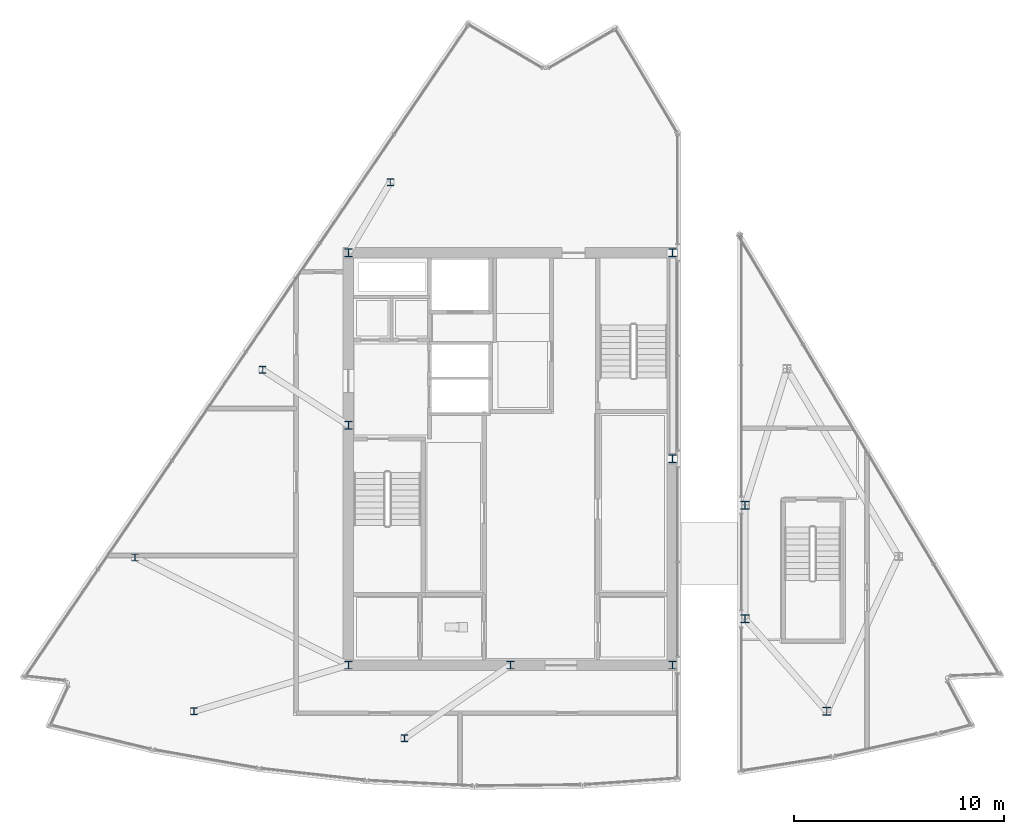
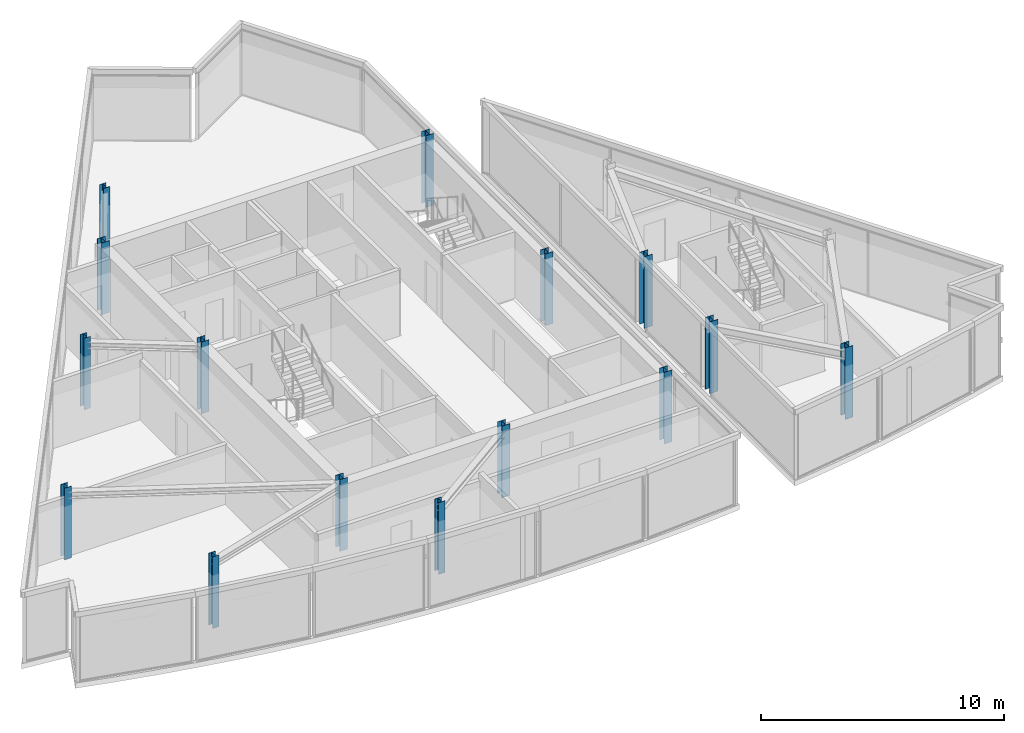
# One storey, part 1 of 15: 15 columns.
"""IFC4 building model written with IfcOpenShell, lengths in metres."""

from ifc_helpers import new_model, si_unit, direction, frame, origin, origin_2d, place, context, subcontext, project, spatial, i_section, extrude, material, material_profile, profile_set, type_object, element, save


model = new_model("IFC4")

# Units and contexts
model_context = context("Model", 3, precision=1e-05, world=origin(), true_north=direction((0.0, 1.0)))
body_context = subcontext(model_context, "Body", "Model", "MODEL_VIEW")
ifc_project = project(units=[si_unit("LENGTHUNIT", "METRE"), si_unit("AREAUNIT", "SQUARE_METRE"), si_unit("VOLUMEUNIT", "CUBIC_METRE"), si_unit("PLANEANGLEUNIT", "RADIAN"), si_unit("MASSUNIT", "GRAM", prefix="KILO")], contexts=[model_context])

# Site, building, storey
site_placement = place(None, origin())
site = spatial("IfcSite", under=ifc_project, at=site_placement, CompositionType="ELEMENT")
building_placement = place(site_placement, origin())
building = spatial("IfcBuilding", under=site, at=building_placement, Name="Savorim Split Tower", CompositionType="ELEMENT")
storey_placement = place(building_placement, frame((0.0, 0.0, 301.199951171875)))
storey = spatial("IfcBuildingStorey", under=building, at=storey_placement, Name="Crown L80 Plant", CompositionType="ELEMENT", Elevation=301.199951171875)

# Columns
ifc_material = material(Name="Steel S355", Category="steel")
ifc_material_profile_1 = material_profile(ifc_material, i_section(OverallWidth=0.30908203125, OverallDepth=0.330078125, WebThickness=0.011474609375, FlangeThickness=0.01904296875, FilletRadius=0.027099609375, at=origin_2d()), Name="HD 320x158")
ifc_profile_set_1 = profile_set([ifc_material_profile_1], Name="Steel S355")
column_type_1 = type_object("IfcColumnType", Name="COL-HD-158", PredefinedType="COLUMN", material=ifc_profile_set_1)
for number, where, z_axis, x_axis, name in (
    (1, (-15.037109375, -11.6015625, 0.0), (0.0, 0.0, 1.0), (1.0, 0.0, 0.0), "Crown L80 Plant West Crown Column WC-1"),
    (2, (-5.039794921875, -12.885009765625, 0.0), (0.0, 0.0, 1.0), (1.0, 0.0, 0.0), "Crown L80 Plant West Crown Column WC-2"),
    (3, (-17.84033203125, -4.288818359375, 0.0), (0.0, 0.0, 1.0), (1.0, 0.0, 0.0), "Crown L80 Plant West Crown Column WC-3"),
    (4, (-11.775390625, 4.626708984375, 0.0), (0.0, 0.0, 1.0), (1.0, 0.0, 0.0), "Crown L80 Plant West Crown Column WC-4"),
    (5, (-5.710205078125, 13.542236328125, 0.0), (0.0, 0.0, 1.0), (1.0, 0.0, 0.0), "Crown L80 Plant West Crown Column WC-5"),
):
    element("IfcColumn", number, at=place(storey_placement, frame(where, z_axis=z_axis, x_axis=x_axis)), inside=storey, type_object=column_type_1, Name=name, PredefinedType="COLUMN", context=body_context, shape_type="SweptSolid", body=[
        extrude(i_section(OverallWidth=0.30908203125, OverallDepth=0.330078125, WebThickness=0.011474609375, FlangeThickness=0.01904296875, FilletRadius=0.027099609375, at=origin_2d()), origin(), (0.0, 0.0, 1.0), 3.60009765625),
    ])
ifc_material_profile_2 = material_profile(ifc_material, i_section(OverallWidth=0.3740234375, OverallDepth=0.3720703125, WebThickness=0.01220703125, FlangeThickness=0.02001953125, FilletRadius=0.014892578125, at=origin_2d()), Name="HD 360x196")
ifc_profile_set_2 = profile_set([ifc_material_profile_2], Name="Steel S355")
column_type_2 = type_object("IfcColumnType", Name="COL-HD-196", PredefinedType="COLUMN", material=ifc_profile_set_2)
for number, where, z_axis, x_axis, name in (
    (6, (-7.699951171875, -9.39990234375, 0.0), (0.0, 0.0, 1.0), (1.0, 0.0, 0.0), "Crown L80 Plant Core Structural Column TC-C1"),
    (7, (7.699951171875, -9.39990234375, 0.0), (0.0, 0.0, 1.0), (1.0, 0.0, 0.0), "Crown L80 Plant Core Structural Column TC-C2"),
    (8, (7.699951171875, 10.199951171875, 0.0), (0.0, 0.0, 1.0), (1.0, 0.0, 0.0), "Crown L80 Plant Core Structural Column TC-C3"),
    (9, (-7.699951171875, 10.199951171875, 0.0), (0.0, 0.0, 1.0), (1.0, 0.0, 0.0), "Crown L80 Plant Core Structural Column TC-C4"),
    (10, (0.0, -9.39990234375, 0.0), (0.0, 0.0, 1.0), (1.0, 0.0, 0.0), "Crown L80 Plant Core Structural Column TC-C5"),
    (11, (7.699951171875, 0.39990234375, 0.0), (0.0, 0.0, 1.0), (1.0, 0.0, 0.0), "Crown L80 Plant Core Structural Column TC-C6"),
    (12, (-7.699951171875, 2.0, 0.0), (0.0, 0.0, 1.0), (1.0, 0.0, 0.0), "Crown L80 Plant Core Structural Column TC-C7"),
    (13, (15.037109375, -11.6015625, 0.0), (0.0, 0.0, 1.0), (1.0, 0.0, 0.0), "Crown L80 Plant East Crown Column EC-1"),
):
    element("IfcColumn", number, at=place(storey_placement, frame(where, z_axis=z_axis, x_axis=x_axis)), inside=storey, type_object=column_type_2, Name=name, PredefinedType="COLUMN", context=body_context, shape_type="SweptSolid", body=[
        extrude(i_section(OverallWidth=0.3740234375, OverallDepth=0.3720703125, WebThickness=0.01220703125, FlangeThickness=0.02001953125, FilletRadius=0.014892578125, at=origin_2d()), origin(), (0.0, 0.0, 1.0), 3.60009765625),
    ])
ifc_material_profile_3 = material_profile(ifc_material, i_section(OverallWidth=0.39794921875, OverallDepth=0.386962890625, WebThickness=0.013427734375, FlangeThickness=0.02197265625, FilletRadius=0.014892578125, at=origin_2d()), Name="HD 400x262")
ifc_profile_set_3 = profile_set([ifc_material_profile_3], Name="Steel S355")
column_type_3 = type_object("IfcColumnType", Name="COL-HD-262", PredefinedType="COLUMN", material=ifc_profile_set_3)
for number, where, z_axis, x_axis, name in (
    (14, (11.14990234375, -7.199951171875, 0.0), (0.0, 0.0, 1.0), (1.0, 0.0, 0.0), "Crown L80 Plant East Crown Slot Column ECS-1"),
    (15, (11.14990234375, -1.800048828125, 0.0), (0.0, 0.0, 1.0), (1.0, 0.0, 0.0), "Crown L80 Plant East Crown Slot Column ECS-2"),
):
    element("IfcColumn", number, at=place(storey_placement, frame(where, z_axis=z_axis, x_axis=x_axis)), inside=storey, type_object=column_type_3, Name=name, PredefinedType="COLUMN", context=body_context, shape_type="SweptSolid", body=[
        extrude(i_section(OverallWidth=0.39794921875, OverallDepth=0.386962890625, WebThickness=0.013427734375, FlangeThickness=0.02197265625, FilletRadius=0.014892578125, at=origin_2d()), origin(), (0.0, 0.0, 1.0), 3.60009765625),
    ])

save(model, "model.ifc")
